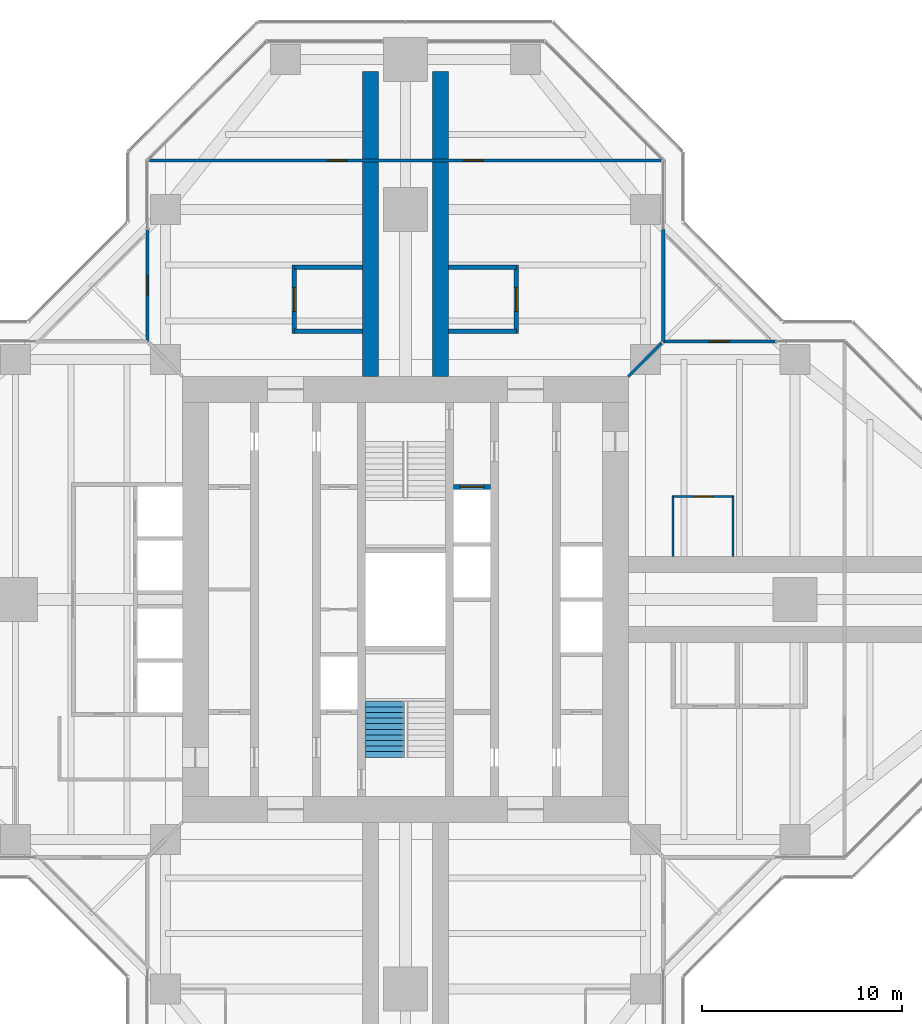
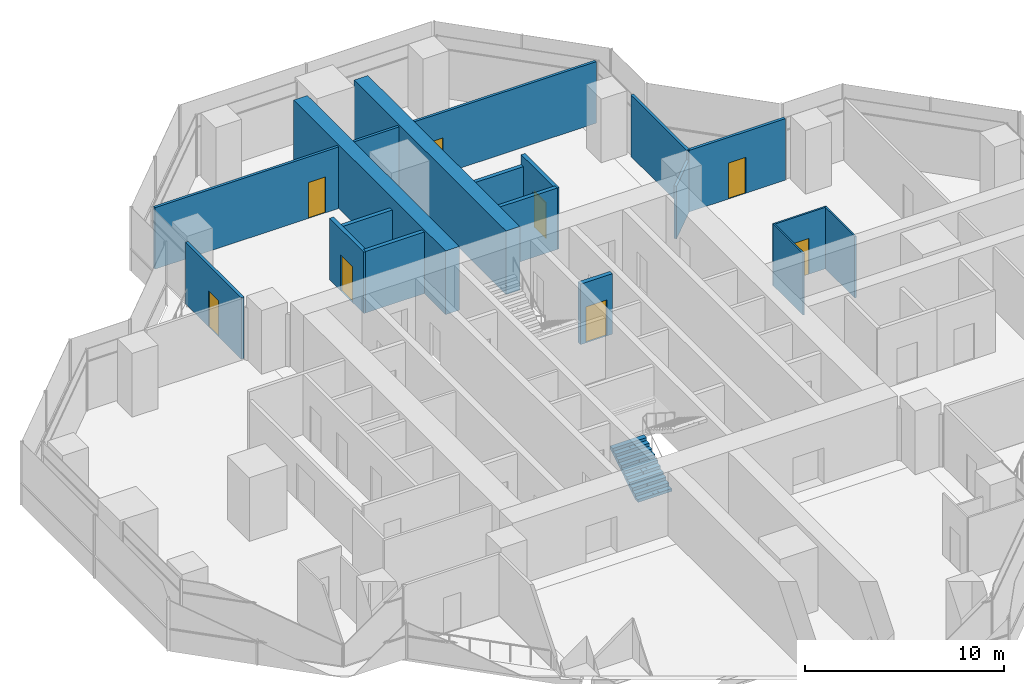
# One storey, part 15 of 17: 17 walls, 8 doors, 1 stair flight, 8 openings, 1 element without a shape of its own.
"""IFC4 building model written with IfcOpenShell, lengths in metres."""

from ifc_helpers import new_model, si_unit, direction, frame, frame_2d, origin, place, context, subcontext, project, spatial, polyline, rectangle, outline, extrude, material, layer, layer_set, type_object, element, fill, aggregate, save


model = new_model("IFC4")

# Units and contexts
model_context = context("Model", 3, precision=1e-05, world=origin(), true_north=direction((0.0, 1.0)))
body_context = subcontext(model_context, "Body", "Model", "MODEL_VIEW")
ifc_project = project(units=[si_unit("LENGTHUNIT", "METRE"), si_unit("AREAUNIT", "SQUARE_METRE"), si_unit("VOLUMEUNIT", "CUBIC_METRE"), si_unit("PLANEANGLEUNIT", "RADIAN"), si_unit("MASSUNIT", "GRAM", prefix="KILO")], contexts=[model_context])

# Site, building, storey
site_placement = place(None, origin())
site = spatial("IfcSite", under=ifc_project, at=site_placement, CompositionType="ELEMENT")
building_placement = place(site_placement, origin())
building = spatial("IfcBuilding", under=site, at=building_placement, Name="Mizan Broadcast Tower", CompositionType="ELEMENT")
storey_placement = place(building_placement, frame((0.0, 0.0, 228.300048828125)))
storey = spatial("IfcBuildingStorey", under=building, at=storey_placement, Name="L53", CompositionType="ELEMENT", Elevation=228.300048828125)

# Wall, opening, door
ifc_material_1 = material(Name="Aluminium framed glazed screen", Category="aluminium")
ifc_layer_1 = layer(ifc_material_1, 0.159912109375)
ifc_layer_set_1 = layer_set([ifc_layer_1], Name="Aluminium framed glazed screen")
wall_type_1 = type_object("IfcWallType", Name="GLAZED SCREEN WALL 160", PredefinedType="SOLIDWALL", material=ifc_layer_set_1)
wall_1_placement = place(storey_placement, frame((18.5, 12.89990234375, 0.0), z_axis=(0.0, 0.0, 1.0), x_axis=(-1.0, 0.0, 0.0)))
wall_1 = element("IfcWall", 1, at=wall_1_placement, inside=storey, type_object=wall_type_1, Name="Winter garden screen L53 E", PredefinedType="SOLIDWALL", context=body_context, shape_type="SweptSolid", body=[
    extrude(rectangle(XDim=5.60009765625, YDim=0.159912109375, at=frame_2d((2.800048828125, 0.0))), origin(), (0.0, 0.0, 1.0), 3.77001953125),
])
opening_1_placement = place(wall_1_placement, frame((2.300048828125, 0.0, 0.0)))
opening_1 = element("IfcOpeningElement", 2, at=opening_1_placement, cuts=wall_1, Name="Opening WGD", PredefinedType="OPENING", context=body_context, shape_type="SweptSolid", body=[
    extrude(rectangle(XDim=1.0, YDim=2.199951171875, at=frame_2d((0.5, 1.10009765625))), frame((0.0, 0.08984375, 0.0), z_axis=(0.0, -1.0, 0.0), x_axis=(1.0, 0.0, 0.0)), (0.0, 0.0, 1.0), 0.179931640625),
])
ifc_material_2 = material(Name="Aluminium framed glazed door", Category="aluminium")
door_type_1 = type_object("IfcDoorType", Name="WINTER GARDEN DOOR 1000 GLAZED", OperationType="SINGLE_SWING_LEFT", PredefinedType="DOOR", material=ifc_material_2)
door_1_placement = place(opening_1_placement, origin())
door_1 = element("IfcDoor", 3, at=door_1_placement, inside=storey, type_object=door_type_1, Name="Winter garden door L53 E", OperationType="SINGLE_SWING_RIGHT", OverallHeight=2.199951171875, OverallWidth=1.0, PredefinedType="DOOR", context=body_context, shape_type="SweptSolid", body=[
    extrude(rectangle(XDim=1.0, YDim=2.199951171875, at=frame_2d((0.5, 1.10009765625))), frame((0.0, 0.02490234375, 0.0), z_axis=(0.0, -1.0, 0.0), x_axis=(1.0, 0.0, 0.0)), (0.0, 0.0, 1.0), 0.050048828125),
])
fill(opening_1, door_1)

# Wall
wall_2_placement = place(storey_placement, frame((12.89990234375, 12.89990234375, 0.0), z_axis=(0.0, 0.0, 1.0), x_axis=(0.0, 1.0, 0.0)))
element("IfcWall", 4, at=wall_2_placement, inside=storey, type_object=wall_type_1, Name="Winter garden screen L53 N", PredefinedType="SOLIDWALL", context=body_context, shape_type="SweptSolid", body=[
    extrude(rectangle(XDim=5.60009765625, YDim=0.159912109375, at=frame_2d((2.800048828125, 0.0))), origin(), (0.0, 0.0, 1.0), 3.77001953125),
])

# Wall, opening, door
wall_3_placement = place(storey_placement, frame((-12.89990234375, 18.5, 0.0), z_axis=(0.0, 0.0, 1.0), x_axis=(0.0, -1.0, 0.0)))
wall_3 = element("IfcWall", 5, at=wall_3_placement, inside=storey, type_object=wall_type_1, Name="Winter garden screen L53 N", PredefinedType="SOLIDWALL", context=body_context, shape_type="SweptSolid", body=[
    extrude(rectangle(XDim=5.60009765625, YDim=0.159912109375, at=frame_2d((2.800048828125, 0.0))), origin(), (0.0, 0.0, 1.0), 3.77001953125),
])
opening_2_placement = place(wall_3_placement, frame((2.300048828125, 0.0, 0.0)))
opening_2 = element("IfcOpeningElement", 6, at=opening_2_placement, cuts=wall_3, Name="Opening WGD", PredefinedType="OPENING", context=body_context, shape_type="SweptSolid", body=[
    extrude(rectangle(XDim=1.0, YDim=2.199951171875, at=frame_2d((0.5, 1.10009765625))), frame((0.0, 0.08984375, 0.0), z_axis=(0.0, -1.0, 0.0), x_axis=(1.0, 0.0, 0.0)), (0.0, 0.0, 1.0), 0.179931640625),
])
door_2_placement = place(opening_2_placement, origin())
door_2 = element("IfcDoor", 7, at=door_2_placement, inside=storey, type_object=door_type_1, Name="Winter garden door L53 N", OperationType="SINGLE_SWING_RIGHT", OverallHeight=2.199951171875, OverallWidth=1.0, PredefinedType="DOOR", context=body_context, shape_type="SweptSolid", body=[
    extrude(rectangle(XDim=1.0, YDim=2.199951171875, at=frame_2d((0.5, 1.10009765625))), frame((0.0, 0.02490234375, 0.0), z_axis=(0.0, -1.0, 0.0), x_axis=(1.0, 0.0, 0.0)), (0.0, 0.0, 1.0), 0.050048828125),
])
fill(opening_2, door_2)

ifc_material_3 = material(Name="Concrete blockwork", Category="masonry")
ifc_layer_2 = layer(ifc_material_3, 0.25)
ifc_layer_set_2 = layer_set([ifc_layer_2], Name="Concrete blockwork")
wall_type_2 = type_object("IfcWallType", Name="LOBBY ENCLOSURE WALL 250", PredefinedType="SOLIDWALL", material=ifc_layer_set_2)
wall_4_placement = place(storey_placement, frame((2.39990234375, 5.625, 0.0), z_axis=(0.0, 0.0, 1.0), x_axis=(1.0, 0.0, 0.0)))
wall_4 = element("IfcWall", 8, at=wall_4_placement, inside=storey, type_object=wall_type_2, Name="Lobby enclosure wall CORE/BE2N", PredefinedType="SOLIDWALL", context=body_context, shape_type="SweptSolid", body=[
    extrude(rectangle(XDim=1.85009765625, YDim=0.25, at=frame_2d((0.925048828125, 0.0))), origin(), (0.0, 0.0, 1.0), 3.699951171875),
])
opening_3_placement = place(wall_4_placement, frame((0.324951171875, 0.0, 0.0)))
opening_3 = element("IfcOpeningElement", 9, at=opening_3_placement, cuts=wall_4, Name="Opening LDF", PredefinedType="OPENING", context=body_context, shape_type="SweptSolid", body=[
    extrude(rectangle(XDim=1.199951171875, YDim=2.199951171875, at=frame_2d((0.60009765625, 1.10009765625))), frame((0.0, 0.135009765625, 0.0), z_axis=(0.0, -1.0, 0.0), x_axis=(1.0, 0.0, 0.0)), (0.0, 0.0, 1.0), 0.27001953125),
])
ifc_material_4 = material(Name="Steel door leaf in steel frame", Category="steel")
door_type_2 = type_object("IfcDoorType", Name="FIREFIGHTING LIFT LANDING DOOR 1200", OperationType="SLIDING_TO_LEFT", PredefinedType="DOOR", material=ifc_material_4)
door_3_placement = place(opening_3_placement, origin())
door_3 = element("IfcDoor", 10, at=door_3_placement, inside=storey, type_object=door_type_2, Name="Landing door FF2", OperationType="SLIDING_TO_LEFT", OverallHeight=2.199951171875, OverallWidth=1.199951171875, PredefinedType="DOOR", context=body_context, shape_type="SweptSolid", body=[
    extrude(rectangle(XDim=1.199951171875, YDim=2.199951171875, at=frame_2d((0.60009765625, 1.10009765625))), frame((0.0, 0.02490234375, 0.0), z_axis=(0.0, -1.0, 0.0), x_axis=(1.0, 0.0, 0.0)), (0.0, 0.0, 1.0), 0.050048828125),
])
fill(opening_3, door_3)

# Wall, openings, doors
ifc_material_5 = material(Name="Gypsum board on steel studs", Category="steel")
ifc_layer_3 = layer(ifc_material_5, 0.14990234375)
ifc_layer_set_3 = layer_set([ifc_layer_3], Name="Gypsum board on steel studs")
wall_type_3 = type_object("IfcWallType", Name="PARTITION 150", PredefinedType="PARTITIONING", material=ifc_layer_set_3)
wall_5_placement = place(storey_placement, frame((12.786376953125, 21.958984375, 0.0), z_axis=(0.0, 0.0, 1.0), x_axis=(-1.0, 0.0, 0.0)))
wall_5 = element("IfcWall", 11, at=wall_5_placement, inside=storey, type_object=wall_type_3, Name="Partition PT/NX1", PredefinedType="PARTITIONING", context=body_context, shape_type="SweptSolid", body=[
    extrude(rectangle(XDim=25.57275390625, YDim=0.14990234375, at=frame_2d((12.786376953125, 0.0))), origin(), (0.0, 0.0, 1.0), 3.77001953125),
])
opening_4_placement = place(wall_5_placement, frame((15.6865234375, 0.0, 0.0)))
opening_4 = element("IfcOpeningElement", 12, at=opening_4_placement, cuts=wall_5, Name="Opening D10", PredefinedType="OPENING", context=body_context, shape_type="SweptSolid", body=[
    extrude(rectangle(XDim=1.0, YDim=2.199951171875, at=frame_2d((0.5, 1.10009765625))), frame((0.0, 0.0849609375, 0.0), z_axis=(0.0, -1.0, 0.0), x_axis=(1.0, 0.0, 0.0)), (0.0, 0.0, 1.0), 0.169921875),
])
opening_5_placement = place(wall_5_placement, frame((8.886474609375, 0.0, 0.0)))
opening_5 = element("IfcOpeningElement", 13, at=opening_5_placement, cuts=wall_5, Name="Opening D10", PredefinedType="OPENING", context=body_context, shape_type="SweptSolid", body=[
    extrude(rectangle(XDim=1.0, YDim=2.199951171875, at=frame_2d((0.5, 1.10009765625))), frame((0.0, 0.0849609375, 0.0), z_axis=(0.0, -1.0, 0.0), x_axis=(1.0, 0.0, 0.0)), (0.0, 0.0, 1.0), 0.169921875),
])
ifc_material_6 = material(Name="Timber door leaf in aluminium frame", Category="wood")
door_type_3 = type_object("IfcDoorType", Name="ROOM DOOR 1000", OperationType="SINGLE_SWING_LEFT", PredefinedType="DOOR", material=ifc_material_6)
door_4_placement = place(opening_4_placement, origin())
door_4 = element("IfcDoor", 14, at=door_4_placement, inside=storey, type_object=door_type_3, Name="Screening room door", OperationType="SINGLE_SWING_RIGHT", OverallHeight=2.199951171875, OverallWidth=1.0, PredefinedType="DOOR", context=body_context, shape_type="SweptSolid", body=[
    extrude(rectangle(XDim=1.0, YDim=2.199951171875, at=frame_2d((0.5, 1.10009765625))), frame((0.0, 0.02490234375, 0.0), z_axis=(0.0, -1.0, 0.0), x_axis=(1.0, 0.0, 0.0)), (0.0, 0.0, 1.0), 0.050048828125),
])
fill(opening_4, door_4)
door_5_placement = place(opening_5_placement, origin())
door_5 = element("IfcDoor", 15, at=door_5_placement, inside=storey, type_object=door_type_3, Name="Screening room door", OperationType="SINGLE_SWING_LEFT", OverallHeight=2.199951171875, OverallWidth=1.0, PredefinedType="DOOR", context=body_context, shape_type="SweptSolid", body=[
    extrude(rectangle(XDim=1.0, YDim=2.199951171875, at=frame_2d((0.5, 1.10009765625))), frame((0.0, 0.02490234375, 0.0), z_axis=(0.0, -1.0, 0.0), x_axis=(1.0, 0.0, 0.0)), (0.0, 0.0, 1.0), 0.050048828125),
])
fill(opening_5, door_5)

# Walls
wall_6_placement = place(storey_placement, frame((11.14990234375, 11.14990234375, 0.0), z_axis=(0.0, 0.0, 1.0), x_axis=(0.707106781187, 0.707106781187, 0.0)))
element("IfcWall", 16, at=wall_6_placement, inside=storey, type_object=wall_type_3, Name="Partition PT/DGEN", PredefinedType="PARTITIONING", context=body_context, shape_type="SweptSolid", body=[
    extrude(rectangle(XDim=2.362060546875, YDim=0.14990234375, at=frame_2d((1.18115234375, 0.0))), origin(), (0.0, 0.0, 1.0), 3.219970703125),
])
ifc_material_7 = material(Name="Twin steel stud acoustic partition, four layers of gypsum board", Category="steel")
ifc_layer_4 = layer(ifc_material_7, 0.22509765625)
ifc_layer_set_4 = layer_set([ifc_layer_4], Name="Twin steel stud acoustic partition, four layers of gypsum board")
wall_type_4 = type_object("IfcWallType", Name="PARTITION ACOUSTIC 225", PredefinedType="PARTITIONING", material=ifc_layer_set_4)
wall_7_placement = place(storey_placement, frame((-2.14990234375, 13.39990234375, 0.0), z_axis=(0.0, 0.0, 1.0), x_axis=(-1.0, 0.0, 0.0)))
element("IfcWall", 17, at=wall_7_placement, inside=storey, type_object=wall_type_4, Name="Acoustic partition PT/NKP0a", PredefinedType="PARTITIONING", context=body_context, shape_type="SweptSolid", body=[
    extrude(rectangle(XDim=3.400146484375, YDim=0.22509765625, at=frame_2d((1.7001953125, 0.0))), origin(), (0.0, 0.0, 1.0), 3.77001953125),
])
wall_8_placement = place(storey_placement, frame((-2.14990234375, 16.60009765625, 0.0), z_axis=(0.0, 0.0, 1.0), x_axis=(-1.0, 0.0, 0.0)))
element("IfcWall", 18, at=wall_8_placement, inside=storey, type_object=wall_type_4, Name="Acoustic partition PT/NKP0b", PredefinedType="PARTITIONING", context=body_context, shape_type="SweptSolid", body=[
    extrude(rectangle(XDim=3.400146484375, YDim=0.22509765625, at=frame_2d((1.7001953125, 0.0))), origin(), (0.0, 0.0, 1.0), 3.179931640625),
])

# Wall, opening, door
wall_9_placement = place(storey_placement, frame((-5.550048828125, 13.28759765625, 0.0), z_axis=(0.0, 0.0, 1.0), x_axis=(0.0, 1.0, 0.0)))
wall_9 = element("IfcWall", 19, at=wall_9_placement, inside=storey, type_object=wall_type_4, Name="Acoustic partition PT/NKP0f", PredefinedType="PARTITIONING", context=body_context, shape_type="SweptSolid", body=[
    extrude(rectangle(XDim=3.4248046875, YDim=0.22509765625, at=frame_2d((1.71240234375, 0.0))), origin(), (0.0, 0.0, 1.0), 3.77001953125),
])
opening_6_placement = place(wall_9_placement, frame((1.112548828125, 0.0, 0.0)))
opening_6 = element("IfcOpeningElement", 20, at=opening_6_placement, cuts=wall_9, Name="Opening D12A", PredefinedType="OPENING", context=body_context, shape_type="SweptSolid", body=[
    extrude(rectangle(XDim=1.199951171875, YDim=2.199951171875, at=frame_2d((0.60009765625, 1.10009765625))), frame((0.0, 0.12255859375, 0.0), z_axis=(0.0, -1.0, 0.0), x_axis=(1.0, 0.0, 0.0)), (0.0, 0.0, 1.0), 0.2451171875),
])
ifc_material_8 = material(Name="Timber door leaf in aluminium frame", Category="wood")
door_type_4 = type_object("IfcDoorType", Name="ACOUSTIC DOOR 1200", OperationType="SINGLE_SWING_LEFT", PredefinedType="DOOR", material=ifc_material_8)
door_6_placement = place(opening_6_placement, origin())
door_6 = element("IfcDoor", 21, at=door_6_placement, inside=storey, type_object=door_type_4, Name="Edit suite door", OperationType="SINGLE_SWING_LEFT", OverallHeight=2.199951171875, OverallWidth=1.199951171875, PredefinedType="DOOR", context=body_context, shape_type="SweptSolid", body=[
    extrude(rectangle(XDim=1.199951171875, YDim=2.199951171875, at=frame_2d((0.60009765625, 1.10009765625))), frame((0.0, 0.02490234375, 0.0), z_axis=(0.0, -1.0, 0.0), x_axis=(1.0, 0.0, 0.0)), (0.0, 0.0, 1.0), 0.050048828125),
])
fill(opening_6, door_6)

# Walls
wall_10_placement = place(storey_placement, frame((2.14990234375, 13.39990234375, 0.0), z_axis=(0.0, 0.0, 1.0), x_axis=(1.0, 0.0, 0.0)))
element("IfcWall", 22, at=wall_10_placement, inside=storey, type_object=wall_type_4, Name="Acoustic partition PT/NKN0a", PredefinedType="PARTITIONING", context=body_context, shape_type="SweptSolid", body=[
    extrude(rectangle(XDim=3.400146484375, YDim=0.22509765625, at=frame_2d((1.7001953125, 0.0))), origin(), (0.0, 0.0, 1.0), 3.77001953125),
])
wall_11_placement = place(storey_placement, frame((2.14990234375, 16.60009765625, 0.0), z_axis=(0.0, 0.0, 1.0), x_axis=(1.0, 0.0, 0.0)))
element("IfcWall", 23, at=wall_11_placement, inside=storey, type_object=wall_type_4, Name="Acoustic partition PT/NKN0b", PredefinedType="PARTITIONING", context=body_context, shape_type="SweptSolid", body=[
    extrude(rectangle(XDim=3.400146484375, YDim=0.22509765625, at=frame_2d((1.7001953125, 0.0))), origin(), (0.0, 0.0, 1.0), 3.179931640625),
])

# Wall, opening, door
wall_12_placement = place(storey_placement, frame((5.550048828125, 13.28759765625, 0.0), z_axis=(0.0, 0.0, 1.0), x_axis=(0.0, 1.0, 0.0)))
wall_12 = element("IfcWall", 24, at=wall_12_placement, inside=storey, type_object=wall_type_4, Name="Acoustic partition PT/NKN0f", PredefinedType="PARTITIONING", context=body_context, shape_type="SweptSolid", body=[
    extrude(rectangle(XDim=3.4248046875, YDim=0.22509765625, at=frame_2d((1.71240234375, 0.0))), origin(), (0.0, 0.0, 1.0), 3.77001953125),
])
opening_7_placement = place(wall_12_placement, frame((1.112548828125, 0.0, 0.0)))
opening_7 = element("IfcOpeningElement", 25, at=opening_7_placement, cuts=wall_12, Name="Opening D12A", PredefinedType="OPENING", context=body_context, shape_type="SweptSolid", body=[
    extrude(rectangle(XDim=1.199951171875, YDim=2.199951171875, at=frame_2d((0.60009765625, 1.10009765625))), frame((0.0, 0.12255859375, 0.0), z_axis=(0.0, -1.0, 0.0), x_axis=(1.0, 0.0, 0.0)), (0.0, 0.0, 1.0), 0.2451171875),
])
door_7_placement = place(opening_7_placement, origin())
door_7 = element("IfcDoor", 26, at=door_7_placement, inside=storey, type_object=door_type_4, Name="Edit suite door", OperationType="SINGLE_SWING_LEFT", OverallHeight=2.199951171875, OverallWidth=1.199951171875, PredefinedType="DOOR", context=body_context, shape_type="SweptSolid", body=[
    extrude(rectangle(XDim=1.199951171875, YDim=2.199951171875, at=frame_2d((0.60009765625, 1.10009765625))), frame((0.0, 0.02490234375, 0.0), z_axis=(0.0, -1.0, 0.0), x_axis=(1.0, 0.0, 0.0)), (0.0, 0.0, 1.0), 0.050048828125),
])
fill(opening_7, door_7)

# Walls
ifc_material_9 = material(Name="Glazed aluminium partition on aluminium track", Category="aluminium")
ifc_layer_5 = layer(ifc_material_9, 0.10009765625)
ifc_layer_set_5 = layer_set([ifc_layer_5], Name="Glazed aluminium partition on aluminium track")
wall_type_5 = type_object("IfcWallType", Name="PARTITION GLAZED OFFICE FRONT 100", PredefinedType="PARTITIONING", material=ifc_layer_set_5)
for number, where, z_axis, x_axis, name in (
    (27, (13.39990234375, 2.14990234375, 0.0), (0.0, 0.0, 1.0), (0.0, 1.0, 0.0), "Glazed office front PT/EKP0a"),
    (28, (16.39990234375, 2.14990234375, 0.0), (0.0, 0.0, 1.0), (0.0, 1.0, 0.0), "Glazed office front PT/EKP0b"),
):
    element("IfcWall", number, at=place(storey_placement, frame(where, z_axis=z_axis, x_axis=x_axis)), inside=storey, type_object=wall_type_5, Name=name, PredefinedType="PARTITIONING", context=body_context, shape_type="SweptSolid", body=[
        extrude(rectangle(XDim=3.0, YDim=0.10009765625, at=frame_2d((1.5, 0.0))), origin(), (0.0, 0.0, 1.0), 3.77001953125),
    ])

# Wall, opening, door
wall_13_placement = place(storey_placement, frame((13.35009765625, 5.14990234375, 0.0), z_axis=(0.0, 0.0, 1.0), x_axis=(1.0, 0.0, 0.0)))
wall_13 = element("IfcWall", 29, at=wall_13_placement, inside=storey, type_object=wall_type_5, Name="Glazed office front PT/EKP0f", PredefinedType="PARTITIONING", context=body_context, shape_type="SweptSolid", body=[
    extrude(rectangle(XDim=3.099853515625, YDim=0.10009765625, at=frame_2d((1.5498046875, 0.0))), origin(), (0.0, 0.0, 1.0), 3.77001953125),
])
opening_8_placement = place(wall_13_placement, frame((1.050048828125, 0.0, 0.0)))
opening_8 = element("IfcOpeningElement", 30, at=opening_8_placement, cuts=wall_13, Name="Opening D10O", PredefinedType="OPENING", context=body_context, shape_type="SweptSolid", body=[
    extrude(rectangle(XDim=1.0, YDim=2.199951171875, at=frame_2d((0.5, 1.10009765625))), frame((0.0, 0.06005859375, 0.0), z_axis=(0.0, -1.0, 0.0), x_axis=(1.0, 0.0, 0.0)), (0.0, 0.0, 1.0), 0.1201171875),
])
ifc_material_10 = material(Name="Timber door leaf in aluminium frame", Category="wood")
door_type_5 = type_object("IfcDoorType", Name="OFFICE DOOR 1000 GLAZED", OperationType="SINGLE_SWING_LEFT", PredefinedType="DOOR", material=ifc_material_10)
door_8_placement = place(opening_8_placement, origin())
door_8 = element("IfcDoor", 31, at=door_8_placement, inside=storey, type_object=door_type_5, Name="Pantry door", OperationType="SINGLE_SWING_LEFT", OverallHeight=2.199951171875, OverallWidth=1.0, PredefinedType="DOOR", context=body_context, shape_type="SweptSolid", body=[
    extrude(rectangle(XDim=1.0, YDim=2.199951171875, at=frame_2d((0.5, 1.10009765625))), frame((0.0, 0.02490234375, 0.0), z_axis=(0.0, -1.0, 0.0), x_axis=(1.0, 0.0, 0.0)), (0.0, 0.0, 1.0), 0.050048828125),
])
fill(opening_8, door_8)

# Walls
ifc_material_11 = material(Name="Concrete C70/85", Category="concrete")
ifc_layer_6 = layer(ifc_material_11, 0.800048828125)
ifc_layer_set_6 = layer_set([ifc_layer_6], Name="Concrete C70/85")
wall_type_6 = type_object("IfcWallType", Name="SPINE WALL 800", PredefinedType="SHEAR", material=ifc_layer_set_6)
for number, where, z_axis, x_axis, name in (
    (32, (1.75, 11.14990234375, 0.0), (0.0, 0.0, 1.0), (0.0, 1.0, 0.0), "Spine wall NR L53"),
    (33, (-1.75, 11.14990234375, 0.0), (0.0, 0.0, 1.0), (0.0, 1.0, 0.0), "Spine wall NL L53"),
):
    element("IfcWall", number, at=place(storey_placement, frame(where, z_axis=z_axis, x_axis=x_axis)), inside=storey, type_object=wall_type_6, Name=name, PredefinedType="SHEAR", context=body_context, shape_type="SweptSolid", body=[
        extrude(rectangle(XDim=15.25, YDim=0.800048828125, at=frame_2d((7.625, 0.0))), origin(), (0.0, 0.0, 1.0), 3.89990234375),
    ])

# Stair, stair flight
ifc_material_12 = material(Name="Concrete C40/50", Category="concrete")
stair_type = type_object("IfcStairType", Name="EXIT STAIR", PredefinedType="HALF_TURN_STAIR", material=ifc_material_12)
stair_placement = place(storey_placement, origin())
stair = element("IfcStair", 34, at=stair_placement, inside=storey, type_object=stair_type, Name="Stair A L53", PredefinedType="HALF_TURN_STAIR")
ifc_material_13 = material(Name="Concrete C40/50", Category="concrete")
stair_flight_type = type_object("IfcStairFlightType", Name="EXIT STAIR FLIGHT", PredefinedType="STRAIGHT", material=ifc_material_13)
stair_flight_placement = place(storey_placement, frame((-1.02490234375, -7.89990234375, 0.0), z_axis=(0.0, 0.0, 1.0), x_axis=(0.0, 1.0, 0.0)))
stair_flight = element("IfcStairFlight", 35, at=stair_flight_placement, type_object=stair_flight_type, Name="A flight 1", NumberOfRisers=11, NumberOfTreads=10, PredefinedType="STRAIGHT", RiserHeight=0.177272727, TreadLength=0.28, context=body_context, shape_type="SweptSolid", body=[
    extrude(outline(polyline([(0.0, 0.0), (0.0, 0.17724609375), (0.280029296875, 0.17724609375), (0.280029296875, 0.3544921875), (0.56005859375, 0.3544921875), (0.56005859375, 0.53173828125), (0.840087890625, 0.53173828125), (0.840087890625, 0.708984375), (1.1201171875, 0.708984375), (1.1201171875, 0.886474609375), (1.39990234375, 0.886474609375), (1.39990234375, 1.063720703125), (1.679931640625, 1.063720703125), (1.679931640625, 1.240966796875), (1.9599609375, 1.240966796875), (1.9599609375, 1.418212890625), (2.239990234375, 1.418212890625), (2.239990234375, 1.595458984375), (2.52001953125, 1.595458984375), (2.52001953125, 1.772705078125), (2.800048828125, 1.772705078125), (2.800048828125, 1.949951171875), (2.800048828125, 1.59521484375), (0.2802734375, 0.0), (0.0, 0.0)])), frame((0.0, 0.97509765625, 0.0), z_axis=(0.0, -1.0, 0.0), x_axis=(1.0, 0.0, 0.0)), (0.0, 0.0, 1.0), 0.4873046875),
    extrude(outline(polyline([(0.0, 0.0), (0.0, 0.17724609375), (0.280029296875, 0.17724609375), (0.280029296875, 0.3544921875), (0.56005859375, 0.3544921875), (0.56005859375, 0.53173828125), (0.840087890625, 0.53173828125), (0.840087890625, 0.708984375), (1.1201171875, 0.708984375), (1.1201171875, 0.886474609375), (1.39990234375, 0.886474609375), (1.39990234375, 1.063720703125), (1.679931640625, 1.063720703125), (1.679931640625, 1.240966796875), (1.9599609375, 1.240966796875), (1.9599609375, 1.418212890625), (2.239990234375, 1.418212890625), (2.239990234375, 1.595458984375), (2.52001953125, 1.595458984375), (2.52001953125, 1.772705078125), (2.800048828125, 1.772705078125), (2.800048828125, 1.949951171875), (2.800048828125, 1.59521484375), (0.2802734375, 0.0), (0.0, 0.0)])), frame((0.0, 0.4873046875, 0.0), z_axis=(0.0, -1.0, 0.0), x_axis=(1.0, 0.0, 0.0)), (0.0, 0.0, 1.0), 0.2431640625),
    extrude(outline(polyline([(0.0, 0.0), (0.0, 0.17724609375), (0.280029296875, 0.17724609375), (0.280029296875, 0.3544921875), (0.56005859375, 0.3544921875), (0.56005859375, 0.53173828125), (0.840087890625, 0.53173828125), (0.840087890625, 0.708984375), (1.1201171875, 0.708984375), (1.1201171875, 0.886474609375), (1.39990234375, 0.886474609375), (1.39990234375, 1.063720703125), (1.679931640625, 1.063720703125), (1.679931640625, 1.240966796875), (1.9599609375, 1.240966796875), (1.9599609375, 1.418212890625), (2.239990234375, 1.418212890625), (2.239990234375, 1.595458984375), (2.52001953125, 1.595458984375), (2.52001953125, 1.772705078125), (2.800048828125, 1.772705078125), (2.800048828125, 1.949951171875), (2.800048828125, 1.59521484375), (0.2802734375, 0.0), (0.0, 0.0)])), frame((0.0, 0.24365234375, 0.0), z_axis=(0.0, -1.0, 0.0), x_axis=(1.0, 0.0, 0.0)), (0.0, 0.0, 1.0), 0.121337890625),
    extrude(outline(polyline([(0.0, 0.0), (0.0, 0.17724609375), (0.280029296875, 0.17724609375), (0.280029296875, 0.3544921875), (0.56005859375, 0.3544921875), (0.56005859375, 0.53173828125), (0.840087890625, 0.53173828125), (0.840087890625, 0.708984375), (1.1201171875, 0.708984375), (1.1201171875, 0.886474609375), (1.39990234375, 0.886474609375), (1.39990234375, 1.063720703125), (1.679931640625, 1.063720703125), (1.679931640625, 1.240966796875), (1.9599609375, 1.240966796875), (1.9599609375, 1.418212890625), (2.239990234375, 1.418212890625), (2.239990234375, 1.595458984375), (2.52001953125, 1.595458984375), (2.52001953125, 1.772705078125), (2.800048828125, 1.772705078125), (2.800048828125, 1.949951171875), (2.800048828125, 1.59521484375), (0.2802734375, 0.0), (0.0, 0.0)])), frame((0.0, 0.121826171875, 0.0), z_axis=(0.0, -1.0, 0.0), x_axis=(1.0, 0.0, 0.0)), (0.0, 0.0, 1.0), 0.060546875),
    extrude(outline(polyline([(0.0, 0.0), (0.0, 0.17724609375), (0.280029296875, 0.17724609375), (0.280029296875, 0.3544921875), (0.56005859375, 0.3544921875), (0.56005859375, 0.53173828125), (0.840087890625, 0.53173828125), (0.840087890625, 0.708984375), (1.1201171875, 0.708984375), (1.1201171875, 0.886474609375), (1.39990234375, 0.886474609375), (1.39990234375, 1.063720703125), (1.679931640625, 1.063720703125), (1.679931640625, 1.240966796875), (1.9599609375, 1.240966796875), (1.9599609375, 1.418212890625), (2.239990234375, 1.418212890625), (2.239990234375, 1.595458984375), (2.52001953125, 1.595458984375), (2.52001953125, 1.772705078125), (2.800048828125, 1.772705078125), (2.800048828125, 1.949951171875), (2.800048828125, 1.59521484375), (0.2802734375, 0.0), (0.0, 0.0)])), frame((0.0, 0.060791015625, 0.0), z_axis=(0.0, -1.0, 0.0), x_axis=(1.0, 0.0, 0.0)), (0.0, 0.0, 1.0), 0.030029296875),
    extrude(outline(polyline([(0.0, 0.0), (0.0, 0.17724609375), (0.280029296875, 0.17724609375), (0.280029296875, 0.3544921875), (0.56005859375, 0.3544921875), (0.56005859375, 0.53173828125), (0.840087890625, 0.53173828125), (0.840087890625, 0.708984375), (1.1201171875, 0.708984375), (1.1201171875, 0.886474609375), (1.39990234375, 0.886474609375), (1.39990234375, 1.063720703125), (1.679931640625, 1.063720703125), (1.679931640625, 1.240966796875), (1.9599609375, 1.240966796875), (1.9599609375, 1.418212890625), (2.239990234375, 1.418212890625), (2.239990234375, 1.595458984375), (2.52001953125, 1.595458984375), (2.52001953125, 1.772705078125), (2.800048828125, 1.772705078125), (2.800048828125, 1.949951171875), (2.800048828125, 1.59521484375), (0.2802734375, 0.0), (0.0, 0.0)])), frame((0.0, 0.0302734375, 0.0), z_axis=(0.0, -1.0, 0.0), x_axis=(1.0, 0.0, 0.0)), (0.0, 0.0, 1.0), 0.060302734375),
    extrude(outline(polyline([(0.0, 0.0), (0.0, 0.17724609375), (0.280029296875, 0.17724609375), (0.280029296875, 0.3544921875), (0.56005859375, 0.3544921875), (0.56005859375, 0.53173828125), (0.840087890625, 0.53173828125), (0.840087890625, 0.708984375), (1.1201171875, 0.708984375), (1.1201171875, 0.886474609375), (1.39990234375, 0.886474609375), (1.39990234375, 1.063720703125), (1.679931640625, 1.063720703125), (1.679931640625, 1.240966796875), (1.9599609375, 1.240966796875), (1.9599609375, 1.418212890625), (2.239990234375, 1.418212890625), (2.239990234375, 1.595458984375), (2.52001953125, 1.595458984375), (2.52001953125, 1.772705078125), (2.800048828125, 1.772705078125), (2.800048828125, 1.949951171875), (2.800048828125, 1.59521484375), (0.2802734375, 0.0), (0.0, 0.0)])), frame((0.0, -0.030517578125, 0.0), z_axis=(0.0, -1.0, 0.0), x_axis=(1.0, 0.0, 0.0)), (0.0, 0.0, 1.0), 0.030029296875),
    extrude(outline(polyline([(0.0, 0.0), (0.0, 0.17724609375), (0.280029296875, 0.17724609375), (0.280029296875, 0.3544921875), (0.56005859375, 0.3544921875), (0.56005859375, 0.53173828125), (0.840087890625, 0.53173828125), (0.840087890625, 0.708984375), (1.1201171875, 0.708984375), (1.1201171875, 0.886474609375), (1.39990234375, 0.886474609375), (1.39990234375, 1.063720703125), (1.679931640625, 1.063720703125), (1.679931640625, 1.240966796875), (1.9599609375, 1.240966796875), (1.9599609375, 1.418212890625), (2.239990234375, 1.418212890625), (2.239990234375, 1.595458984375), (2.52001953125, 1.595458984375), (2.52001953125, 1.772705078125), (2.800048828125, 1.772705078125), (2.800048828125, 1.949951171875), (2.800048828125, 1.59521484375), (0.2802734375, 0.0), (0.0, 0.0)])), frame((0.0, -0.06103515625, 0.0), z_axis=(0.0, -1.0, 0.0), x_axis=(1.0, 0.0, 0.0)), (0.0, 0.0, 1.0), 0.060546875),
    extrude(outline(polyline([(0.0, 0.0), (0.0, 0.17724609375), (0.280029296875, 0.17724609375), (0.280029296875, 0.3544921875), (0.56005859375, 0.3544921875), (0.56005859375, 0.53173828125), (0.840087890625, 0.53173828125), (0.840087890625, 0.708984375), (1.1201171875, 0.708984375), (1.1201171875, 0.886474609375), (1.39990234375, 0.886474609375), (1.39990234375, 1.063720703125), (1.679931640625, 1.063720703125), (1.679931640625, 1.240966796875), (1.9599609375, 1.240966796875), (1.9599609375, 1.418212890625), (2.239990234375, 1.418212890625), (2.239990234375, 1.595458984375), (2.52001953125, 1.595458984375), (2.52001953125, 1.772705078125), (2.800048828125, 1.772705078125), (2.800048828125, 1.949951171875), (2.800048828125, 1.59521484375), (0.2802734375, 0.0), (0.0, 0.0)])), frame((0.0, -0.1220703125, 0.0), z_axis=(0.0, -1.0, 0.0), x_axis=(1.0, 0.0, 0.0)), (0.0, 0.0, 1.0), 0.121337890625),
    extrude(outline(polyline([(0.0, 0.0), (0.0, 0.17724609375), (0.280029296875, 0.17724609375), (0.280029296875, 0.3544921875), (0.56005859375, 0.3544921875), (0.56005859375, 0.53173828125), (0.840087890625, 0.53173828125), (0.840087890625, 0.708984375), (1.1201171875, 0.708984375), (1.1201171875, 0.886474609375), (1.39990234375, 0.886474609375), (1.39990234375, 1.063720703125), (1.679931640625, 1.063720703125), (1.679931640625, 1.240966796875), (1.9599609375, 1.240966796875), (1.9599609375, 1.418212890625), (2.239990234375, 1.418212890625), (2.239990234375, 1.595458984375), (2.52001953125, 1.595458984375), (2.52001953125, 1.772705078125), (2.800048828125, 1.772705078125), (2.800048828125, 1.949951171875), (2.800048828125, 1.59521484375), (0.2802734375, 0.0), (0.0, 0.0)])), frame((0.0, -0.243896484375, 0.0), z_axis=(0.0, -1.0, 0.0), x_axis=(1.0, 0.0, 0.0)), (0.0, 0.0, 1.0), 0.2431640625),
    extrude(outline(polyline([(0.0, 0.0), (0.0, 0.17724609375), (0.280029296875, 0.17724609375), (0.280029296875, 0.3544921875), (0.56005859375, 0.3544921875), (0.56005859375, 0.53173828125), (0.840087890625, 0.53173828125), (0.840087890625, 0.708984375), (1.1201171875, 0.708984375), (1.1201171875, 0.886474609375), (1.39990234375, 0.886474609375), (1.39990234375, 1.063720703125), (1.679931640625, 1.063720703125), (1.679931640625, 1.240966796875), (1.9599609375, 1.240966796875), (1.9599609375, 1.418212890625), (2.239990234375, 1.418212890625), (2.239990234375, 1.595458984375), (2.52001953125, 1.595458984375), (2.52001953125, 1.772705078125), (2.800048828125, 1.772705078125), (2.800048828125, 1.949951171875), (2.800048828125, 1.59521484375), (0.2802734375, 0.0), (0.0, 0.0)])), frame((0.0, -0.487548828125, 0.0), z_axis=(0.0, -1.0, 0.0), x_axis=(1.0, 0.0, 0.0)), (0.0, 0.0, 1.0), 0.4873046875),
])
aggregate(stair, [stair_flight])

save(model, "model.ifc")
